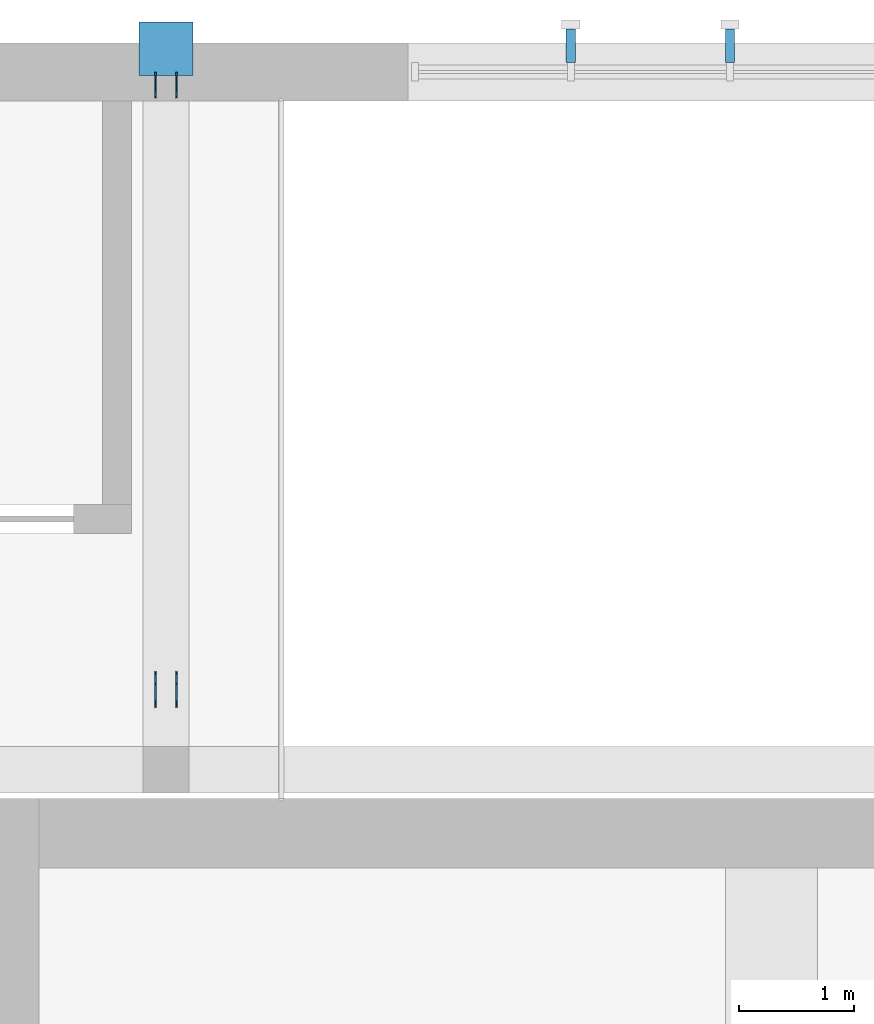
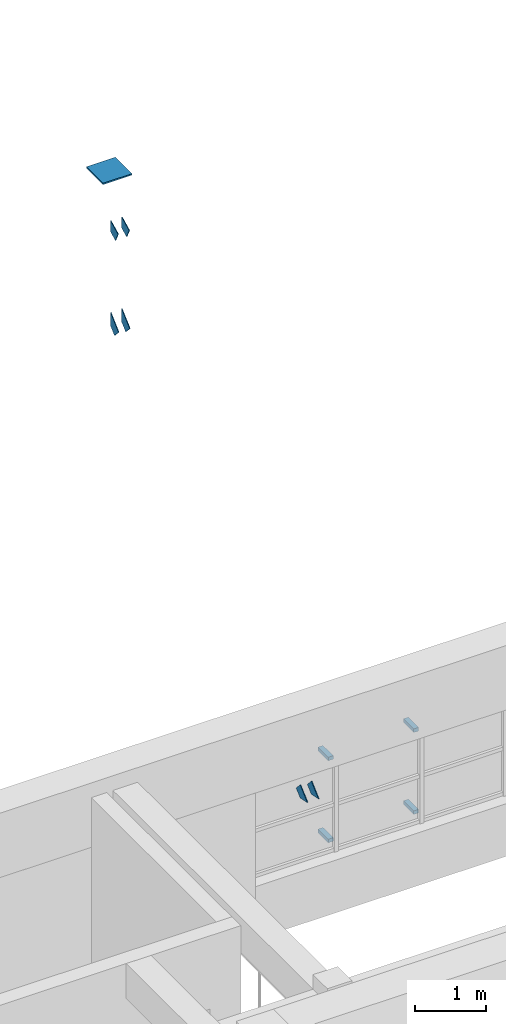
# One storey, part 21 of 28: 11 discrete accessories.
"""IFC4 building model written with IfcOpenShell, lengths in metres."""

from ifc_helpers import new_model, si_unit, direction, frame, origin, origin_2d, place, context, subcontext, project, spatial, polyline, rectangle, outline, extrude, material, layer, layer_set, type_object, element, save


model = new_model("IFC4")

# Units and contexts
model_context = context("Model", 3, precision=1e-05, world=origin(), true_north=direction((0.0, 1.0)))
body_context = subcontext(model_context, "Body", "Model", "MODEL_VIEW")
ifc_project = project(units=[si_unit("LENGTHUNIT", "METRE"), si_unit("AREAUNIT", "SQUARE_METRE"), si_unit("VOLUMEUNIT", "CUBIC_METRE"), si_unit("PLANEANGLEUNIT", "RADIAN"), si_unit("MASSUNIT", "GRAM", prefix="KILO")], contexts=[model_context])

# Site, building, storey
site_placement = place(None, origin())
site = spatial("IfcSite", under=ifc_project, at=site_placement, CompositionType="ELEMENT")
building_placement = place(site_placement, origin())
building = spatial("IfcBuilding", under=site, at=building_placement, Name="Ljudholm Concert House", CompositionType="ELEMENT")
storey_placement = place(building_placement, frame((0.0, 0.0, 19.199951171875)))
storey = spatial("IfcBuildingStorey", under=building, at=storey_placement, Name="L04", CompositionType="ELEMENT", Elevation=19.199951171875)

# Discrete accessories
ifc_material_1 = material(Name="Stainless steel bracket", Category="steel")
discrete_accessory_type_1 = type_object("IfcDiscreteAccessoryType", Name="BRACKET 290", PredefinedType="BRACKET", material=ifc_material_1)
for number, where, z_axis, x_axis, name in (
    (1, (41.110107421875, 96.625, 0.969970703125), (0.0, 0.0, 1.0), (0.0, 1.0, 0.0), "Fin bracket"),
    (2, (41.110107421875, 96.625, 2.3701171875), (0.0, 0.0, 1.0), (0.0, 1.0, 0.0), "Fin bracket"),
    (3, (42.489990234375, 96.625, 0.969970703125), (0.0, 0.0, 1.0), (0.0, 1.0, 0.0), "Fin bracket"),
    (4, (42.489990234375, 96.625, 2.3701171875), (0.0, 0.0, 1.0), (0.0, 1.0, 0.0), "Fin bracket"),
):
    element("IfcDiscreteAccessory", number, at=place(storey_placement, frame(where, z_axis=z_axis, x_axis=x_axis)), inside=storey, type_object=discrete_accessory_type_1, Name=name, PredefinedType="BRACKET", context=body_context, shape_type="SweptSolid", body=[
        extrude(rectangle(XDim=0.2900390625, YDim=0.080078125, at=origin_2d()), origin(), (0.0, 0.0, 1.0), 0.06005859375),
    ])
ifc_material_2 = material(Name="Steel ASTM A36 plate", Category="steel")
ifc_layer_1 = layer(ifc_material_2, 0.011962890625)
ifc_layer_set_1 = layer_set([ifc_layer_1], Name="Steel ASTM A36 plate")
discrete_accessory_type_2 = type_object("IfcDiscreteAccessoryType", Name="GUSSET PLATE 12", PredefinedType="BRACKET", material=ifc_layer_set_1)
for number, where, z_axis, x_axis, name in (
    (5, (37.690185546875, 96.340087890625, -19.199951171875), (0.0, 0.0, 1.0), (0.0, -1.0, 0.0), "Gusset plate"),
    (6, (37.510009765625, 96.340087890625, -19.199951171875), (0.0, 0.0, 1.0), (0.0, -1.0, 0.0), "Gusset plate"),
):
    element("IfcDiscreteAccessory", number, at=place(storey_placement, frame(where, z_axis=z_axis, x_axis=x_axis)), inside=storey, type_object=discrete_accessory_type_2, Name=name, PredefinedType="BRACKET", context=body_context, shape_type="SweptSolid", body=[
        extrude(outline(polyline([(0.053955078125, 30.19921875), (-0.056884765625, 30.30029296875), (-0.056884765625, 30.5283203125), (0.16748046875, 30.323486328125), (0.053955078125, 30.19921875)])), frame((0.0, 0.005859375, 0.0), z_axis=(0.0, -1.0, 0.0), x_axis=(1.0, 0.0, 0.0)), (0.0, 0.0, 1.0), 0.011962890625),
    ])
for number, where, z_axis, x_axis, name in (
    (7, (37.690185546875, 96.340087890625, -19.199951171875), (0.0, 0.0, 1.0), (0.0, -1.0, 0.0), "Gusset plate"),
    (8, (37.510009765625, 96.340087890625, -19.199951171875), (0.0, 0.0, 1.0), (0.0, -1.0, 0.0), "Gusset plate"),
):
    element("IfcDiscreteAccessory", number, at=place(storey_placement, frame(where, z_axis=z_axis, x_axis=x_axis)), inside=storey, type_object=discrete_accessory_type_2, Name=name, PredefinedType="BRACKET", context=body_context, shape_type="SweptSolid", body=[
        extrude(outline(polyline([(5.250732421875, 25.67919921875), (5.451904296875, 25.495361328125), (5.247802734375, 25.453857421875), (5.13720703125, 25.554931640625), (5.250732421875, 25.67919921875)])), frame((0.0, 0.005859375, 0.0), z_axis=(0.0, -1.0, 0.0), x_axis=(1.0, 0.0, 0.0)), (0.0, 0.0, 1.0), 0.011962890625),
    ])
for number, where, z_axis, x_axis, name in (
    (9, (37.690185546875, 96.359375, -19.199951171875), (0.0, 0.0, 1.0), (0.0, -1.0, 0.0), "Gusset plate"),
    (10, (37.510009765625, 96.359375, -19.199951171875), (0.0, 0.0, 1.0), (0.0, -1.0, 0.0), "Gusset plate"),
):
    element("IfcDiscreteAccessory", number, at=place(storey_placement, frame(where, z_axis=z_axis, x_axis=x_axis)), inside=storey, type_object=discrete_accessory_type_2, Name=name, PredefinedType="BRACKET", context=body_context, shape_type="SweptSolid", body=[
        extrude(outline(polyline([(0.096923828125, 31.8388671875), (-0.037353515625, 31.905517578125), (-0.037353515625, 32.09326171875), (0.171875, 31.989501953125), (0.096923828125, 31.8388671875)])), frame((0.0, 0.005859375, 0.0), z_axis=(0.0, -1.0, 0.0), x_axis=(1.0, 0.0, 0.0)), (0.0, 0.0, 1.0), 0.011962890625),
    ])
ifc_material_3 = material(Name="Steel ASTM A36 plate", Category="steel")
ifc_layer_2 = layer(ifc_material_3, 0.02490234375)
ifc_layer_set_2 = layer_set([ifc_layer_2], Name="Steel ASTM A36 plate")
discrete_accessory_type_3 = type_object("IfcDiscreteAccessoryType", Name="MAST CAP PLATE 25", PredefinedType="BRACKET", material=ifc_layer_set_2)
discrete_accessory_placement = place(storey_placement, frame((37.60009765625, 96.60009765625, 13.5751953125), z_axis=(0.0, 0.0, 1.0), x_axis=(1.0, 0.0, 0.0)))
element("IfcDiscreteAccessory", 11, at=discrete_accessory_placement, inside=storey, type_object=discrete_accessory_type_3, Name="Mast cap plate", PredefinedType="BRACKET", context=body_context, shape_type="SweptSolid", body=[
    extrude(rectangle(XDim=0.46630859375, YDim=0.46630859375, at=origin_2d()), origin(), (0.0, 0.0, 1.0), 0.02490234375),
])

save(model, "model.ifc")
